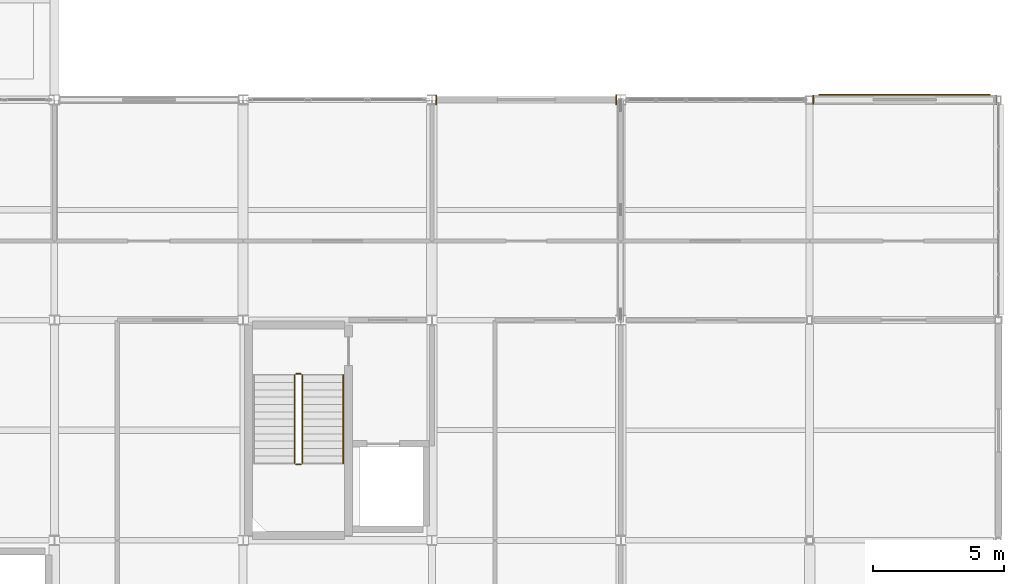
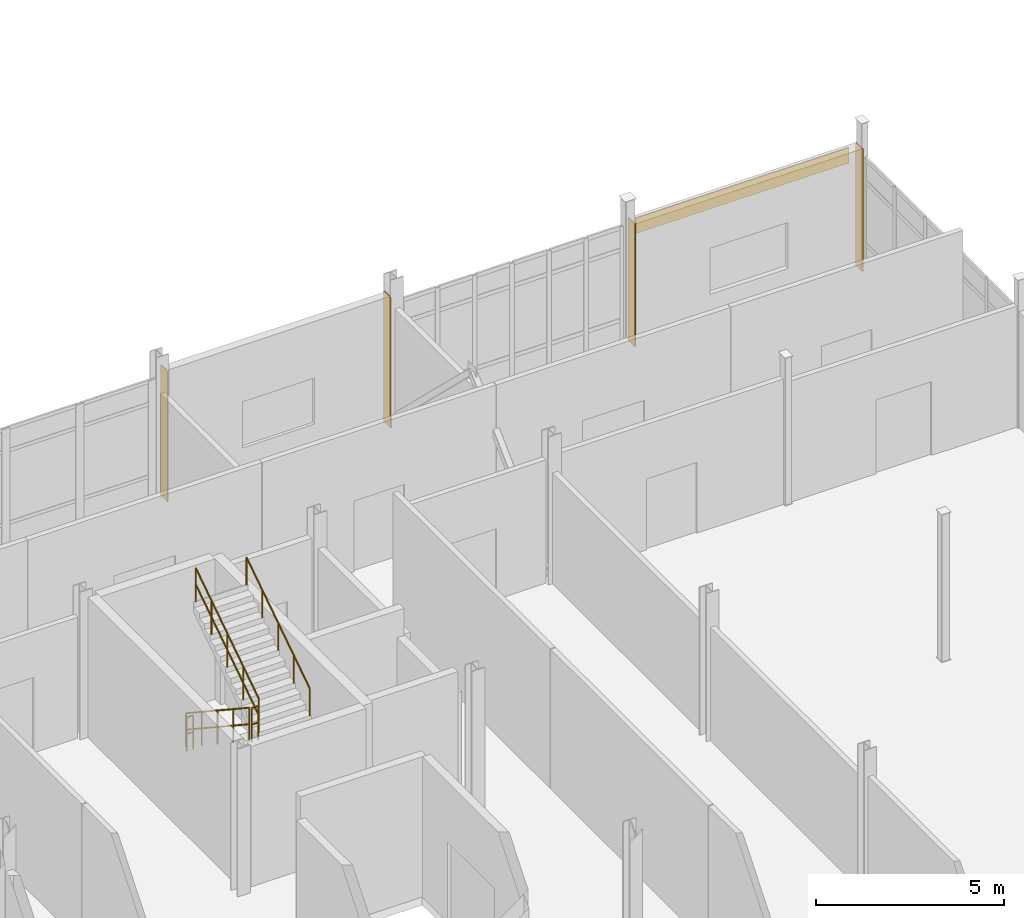
# One storey, part 152 of 153: 5 coverings, 5 railings.
"""IFC4 building model written with IfcOpenShell, lengths in metres."""

from ifc_helpers import new_model, si_unit, direction, frame, origin, origin_2d, place, context, subcontext, project, spatial, polyline, rectangle, circle, outline, extrude, material, layer, layer_set, type_object, element, save


model = new_model("IFC4")

# Units and contexts
model_context = context("Model", 3, precision=1e-05, world=origin(), true_north=direction((0.0, 1.0)))
body_context = subcontext(model_context, "Body", "Model", "MODEL_VIEW")
ifc_project = project(units=[si_unit("LENGTHUNIT", "METRE"), si_unit("AREAUNIT", "SQUARE_METRE"), si_unit("VOLUMEUNIT", "CUBIC_METRE"), si_unit("PLANEANGLEUNIT", "RADIAN"), si_unit("MASSUNIT", "GRAM", prefix="KILO")], contexts=[model_context])

# Site, building, storey
site_placement = place(None, origin())
site = spatial("IfcSite", under=ifc_project, at=site_placement, CompositionType="ELEMENT")
building_placement = place(site_placement, origin())
building = spatial("IfcBuilding", under=site, at=building_placement, Name="Calvrana Isthmian Art Gallery", CompositionType="ELEMENT")
storey_placement = place(building_placement, frame((0.0, 0.0, 10.199951171875)))
storey = spatial("IfcBuildingStorey", under=building, at=storey_placement, Name="L02", CompositionType="ELEMENT", Elevation=10.199951171875)

# Coverings
ifc_material_1 = material(Name="Polychrome glazed terracotta", Category="masonry")
ifc_layer = layer(ifc_material_1, 0.0400390625, Name="Polychrome glazed terracotta")
ifc_layer_set = layer_set([ifc_layer], Name="Polychrome glazed terracotta")
covering_type = type_object("IfcCoveringType", Name="COV-CLAD-TERRA", PredefinedType="CLADDING", material=ifc_layer_set)
covering_1_placement = place(storey_placement, origin())
element("IfcCovering", 1, at=covering_1_placement, inside=storey, type_object=covering_type, Name="Column pocket weather closure L02-17-06-W", PredefinedType="CLADDING", context=body_context, shape_type="SweptSolid", body=[
    extrude(outline(polyline([(134.54638671875, 46.618408203125), (134.58642578125, 46.618408203125), (134.58642578125, 46.9814453125), (134.54638671875, 46.9814453125), (134.54638671875, 46.618408203125)])), origin(), (0.0, 0.0, 1.0), 4.2353515625),
])
covering_2_placement = place(storey_placement, origin())
element("IfcCovering", 2, at=covering_2_placement, inside=storey, type_object=covering_type, Name="Column pocket weather closure L02-17-06-E", PredefinedType="CLADDING", context=body_context, shape_type="SweptSolid", body=[
    extrude(outline(polyline([(141.400390625, 46.612060546875), (141.4404296875, 46.612060546875), (141.4404296875, 46.988037109375), (141.400390625, 46.988037109375), (141.400390625, 46.612060546875)])), origin(), (0.0, 0.0, 1.0), 4.2353515625),
])
covering_3_placement = place(storey_placement, origin())
element("IfcCovering", 3, at=covering_3_placement, inside=storey, type_object=covering_type, Name="Column pocket weather closure L02-19-06-W", PredefinedType="CLADDING", context=body_context, shape_type="SweptSolid", body=[
    extrude(outline(polyline([(148.912353515625, 46.625), (148.952392578125, 46.625), (148.952392578125, 46.97509765625), (148.912353515625, 46.97509765625), (148.912353515625, 46.625)])), origin(), (0.0, 0.0, 1.0), 3.990966796875),
])
covering_4_placement = place(storey_placement, origin())
element("IfcCovering", 4, at=covering_4_placement, inside=storey, type_object=covering_type, Name="Column pocket weather closure L02-19-06-E", PredefinedType="CLADDING", context=body_context, shape_type="SweptSolid", body=[
    extrude(outline(polyline([(155.8984375, 46.625), (155.9384765625, 46.625), (155.9384765625, 46.97509765625), (155.8984375, 46.97509765625), (155.8984375, 46.625)])), origin(), (0.0, 0.0, 1.0), 3.990966796875),
])
covering_5_placement = place(storey_placement, frame((152.42529296875, 46.992919921875, 3.39111328125), z_axis=(0.0, 0.0, 1.0), x_axis=(1.0, 0.0, 0.0)))
element("IfcCovering", 5, at=covering_5_placement, inside=storey, type_object=covering_type, Name="Terracotta spandrel cladding 120", PredefinedType="CLADDING", context=body_context, shape_type="SweptSolid", body=[
    extrude(rectangle(XDim=6.5458984375, YDim=0.0400390625, at=origin_2d()), origin(), (0.0, 0.0, 1.0), 0.5),
])

# Railings
ifc_material_2 = material(Name="Stainless steel 316", Category="steel")
railing_type_1 = type_object("IfcRailingType", Name="RL-GUARD-1120", PredefinedType="BALUSTRADE", material=ifc_material_2)
railing_1_placement = place(storey_placement, frame((129.159912109375, 36.300048828125, 0.1845703125)))
element("IfcRailing", 6, at=railing_1_placement, inside=storey, type_object=railing_type_1, Name="Stair ST-4 guard L02-1", PredefinedType="BALUSTRADE", context=body_context, shape_type="SweptSolid", body=[
    extrude(circle(Radius=0.02392578125, at=origin_2d()), frame((0.0, 0.0, 1.09619140625), z_axis=(0.0, -0.834848600103, 0.550479622607), x_axis=(1.0, 0.0, 0.0)), (0.0, 0.0, 1.0), 4.02490234375),
    extrude(circle(Radius=0.02392578125, at=origin_2d()), frame((0.0, 0.0, 0.56005859375), z_axis=(0.0, -0.834848600103, 0.550479622607), x_axis=(1.0, 0.0, 0.0)), (0.0, 0.0, 1.0), 4.02490234375),
    extrude(circle(Radius=0.02099609375, at=origin_2d()), origin(), (0.0, 0.0, 1.0), 1.072021484375),
    extrude(circle(Radius=0.02099609375, at=origin_2d()), frame((0.0, -0.840087890625, 0.553955078125)), (0.0, 0.0, 1.0), 1.072021484375),
    extrude(circle(Radius=0.02099609375, at=origin_2d()), frame((0.0, -1.68017578125, 1.10791015625)), (0.0, 0.0, 1.0), 1.072021484375),
    extrude(circle(Radius=0.02099609375, at=origin_2d()), frame((0.0, -2.52001953125, 1.66162109375)), (0.0, 0.0, 1.0), 1.072021484375),
    extrude(circle(Radius=0.02099609375, at=origin_2d()), frame((0.0, -3.360107421875, 2.215576171875)), (0.0, 0.0, 1.0), 1.072021484375),
])
railing_2_placement = place(storey_placement, frame((129.2099609375, 32.889892578125, 2.400146484375)))
element("IfcRailing", 7, at=railing_2_placement, inside=storey, type_object=railing_type_1, Name="Stair ST-4 guard L02-2", PredefinedType="BALUSTRADE", context=body_context, shape_type="SweptSolid", body=[
    extrude(circle(Radius=0.02392578125, at=origin_2d()), frame((0.0, 0.0, 1.09619140625), z_axis=(1.0, 0.0, 0.0), x_axis=(0.0, 1.0, 0.0)), (0.0, 0.0, 1.0), 0.199951171875),
    extrude(circle(Radius=0.02392578125, at=origin_2d()), frame((0.0, 0.0, 0.56005859375), z_axis=(1.0, 0.0, 0.0), x_axis=(0.0, 1.0, 0.0)), (0.0, 0.0, 1.0), 0.199951171875),
    extrude(circle(Radius=0.02099609375, at=origin_2d()), origin(), (0.0, 0.0, 1.0), 1.072021484375),
    extrude(circle(Radius=0.02099609375, at=origin_2d()), frame((0.199951171875, 0.0, 0.0)), (0.0, 0.0, 1.0), 1.072021484375),
])
railing_3_placement = place(storey_placement, frame((129.4599609375, 32.93994140625, 2.584716796875)))
element("IfcRailing", 8, at=railing_3_placement, inside=storey, type_object=railing_type_1, Name="Stair ST-4 guard L02-3", PredefinedType="BALUSTRADE", context=body_context, shape_type="SweptSolid", body=[
    extrude(circle(Radius=0.02392578125, at=origin_2d()), frame((0.0, 0.0, 1.09619140625), z_axis=(0.0, 0.834876476806, 0.550437342915), x_axis=(-1.0, 0.0, 0.0)), (0.0, 0.0, 1.0), 4.024658203125),
    extrude(circle(Radius=0.02392578125, at=origin_2d()), frame((0.0, 0.0, 0.56005859375), z_axis=(0.0, 0.834876476806, 0.550437342915), x_axis=(-1.0, 0.0, 0.0)), (0.0, 0.0, 1.0), 4.024658203125),
    extrude(circle(Radius=0.02099609375, at=origin_2d()), origin(), (0.0, 0.0, 1.0), 1.072021484375),
    extrude(circle(Radius=0.02099609375, at=origin_2d()), frame((0.0, 0.840087890625, 0.5537109375)), (0.0, 0.0, 1.0), 1.072021484375),
    extrude(circle(Radius=0.02099609375, at=origin_2d()), frame((0.0, 1.68017578125, 1.107666015625)), (0.0, 0.0, 1.0), 1.072021484375),
    extrude(circle(Radius=0.02099609375, at=origin_2d()), frame((0.0, 2.52001953125, 1.66162109375)), (0.0, 0.0, 1.0), 1.072021484375),
    extrude(circle(Radius=0.02099609375, at=origin_2d()), frame((0.0, 3.360107421875, 2.21533203125)), (0.0, 0.0, 1.0), 1.072021484375),
])
railing_4_placement = place(storey_placement, frame((129.2099609375, 36.35009765625, 0.0)))
element("IfcRailing", 9, at=railing_4_placement, inside=storey, type_object=railing_type_1, Name="Stair ST-4 guard L02-4", PredefinedType="BALUSTRADE", context=body_context, shape_type="SweptSolid", body=[
    extrude(circle(Radius=0.02392578125, at=origin_2d()), frame((0.0, 0.0, 1.09619140625), z_axis=(1.0, 0.0, 0.0), x_axis=(0.0, 1.0, 0.0)), (0.0, 0.0, 1.0), 0.199951171875),
    extrude(circle(Radius=0.02392578125, at=origin_2d()), frame((0.0, 0.0, 0.56005859375), z_axis=(1.0, 0.0, 0.0), x_axis=(0.0, 1.0, 0.0)), (0.0, 0.0, 1.0), 0.199951171875),
    extrude(circle(Radius=0.02099609375, at=origin_2d()), origin(), (0.0, 0.0, 1.0), 1.072021484375),
    extrude(circle(Radius=0.02099609375, at=origin_2d()), frame((0.199951171875, 0.0, 0.0)), (0.0, 0.0, 1.0), 1.072021484375),
])
railing_type_2 = type_object("IfcRailingType", Name="RL-HAND-920", PredefinedType="HANDRAIL", material=ifc_material_2)
railing_5_placement = place(storey_placement, frame((131.02001953125, 32.93994140625, 2.584716796875)))
element("IfcRailing", 10, at=railing_5_placement, inside=storey, type_object=railing_type_2, Name="Stair ST-4 handrail L02-2", PredefinedType="HANDRAIL", context=body_context, shape_type="SweptSolid", body=[
    extrude(circle(Radius=0.02392578125, at=origin_2d()), frame((0.0, 0.0, 0.89599609375), z_axis=(0.0, 0.834876476806, 0.550437342915), x_axis=(-1.0, 0.0, 0.0)), (0.0, 0.0, 1.0), 4.024658203125),
    extrude(circle(Radius=0.02099609375, at=origin_2d()), origin(), (0.0, 0.0, 1.0), 0.871826171875),
    extrude(circle(Radius=0.02099609375, at=origin_2d()), frame((0.0, 0.840087890625, 0.5537109375)), (0.0, 0.0, 1.0), 0.871826171875),
    extrude(circle(Radius=0.02099609375, at=origin_2d()), frame((0.0, 1.68017578125, 1.107666015625)), (0.0, 0.0, 1.0), 0.871826171875),
    extrude(circle(Radius=0.02099609375, at=origin_2d()), frame((0.0, 2.52001953125, 1.66162109375)), (0.0, 0.0, 1.0), 0.871826171875),
    extrude(circle(Radius=0.02099609375, at=origin_2d()), frame((0.0, 3.360107421875, 2.21533203125)), (0.0, 0.0, 1.0), 0.871826171875),
])

save(model, "model.ifc")
